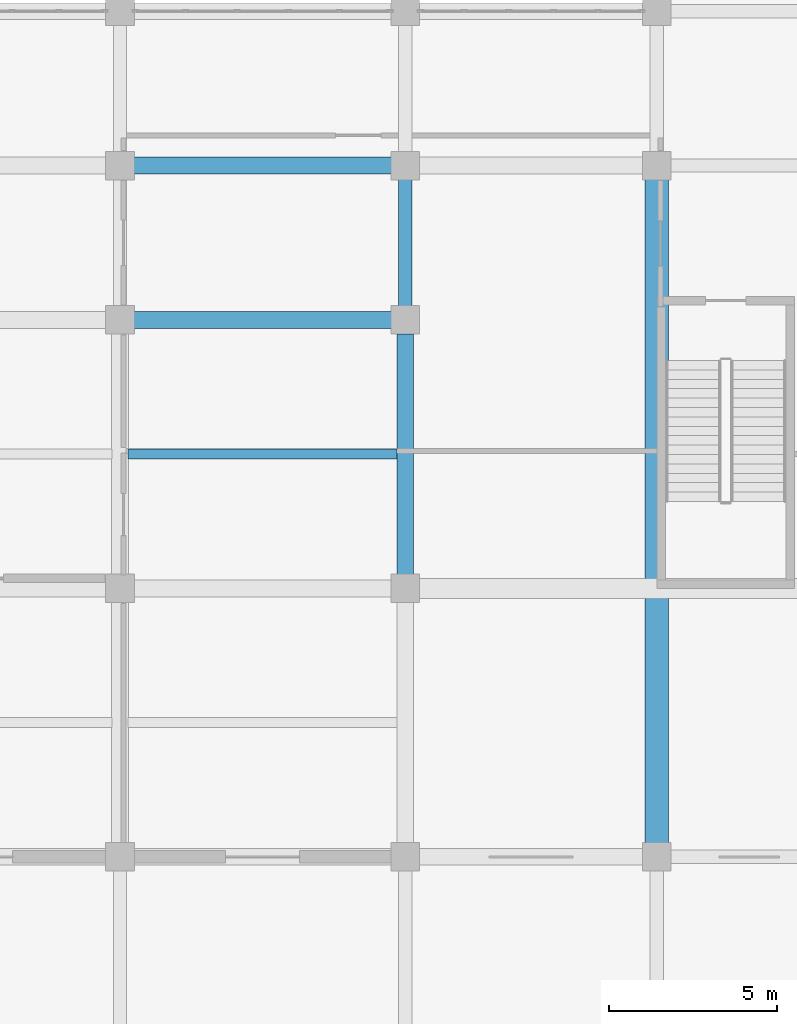
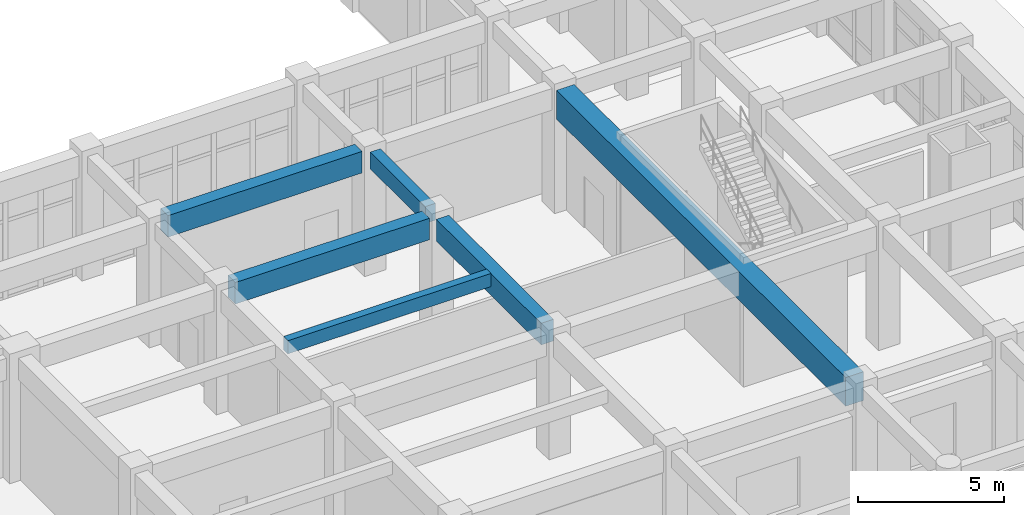
# One storey, part 33 of 84: 6 beams.
"""IFC4 building model written with IfcOpenShell, lengths in metres."""

from ifc_helpers import new_model, si_unit, direction, frame, origin, origin_2d, place, context, subcontext, project, spatial, rectangle, extrude, material, material_profile, profile_set, type_object, element, save


model = new_model("IFC4")

# Units and contexts
model_context = context("Model", 3, precision=1e-05, world=origin(), true_north=direction((0.0, 1.0)))
body_context = subcontext(model_context, "Body", "Model", "MODEL_VIEW")
ifc_project = project(units=[si_unit("LENGTHUNIT", "METRE"), si_unit("AREAUNIT", "SQUARE_METRE"), si_unit("VOLUMEUNIT", "CUBIC_METRE"), si_unit("PLANEANGLEUNIT", "RADIAN"), si_unit("MASSUNIT", "GRAM", prefix="KILO")], contexts=[model_context])

# Site, building, storey
site_placement = place(None, origin())
site = spatial("IfcSite", under=ifc_project, at=site_placement, CompositionType="ELEMENT")
building_placement = place(site_placement, origin())
building = spatial("IfcBuilding", under=site, at=building_placement, Name="Muzn Square Opera House", CompositionType="ELEMENT")
storey_placement = place(building_placement, origin())
storey = spatial("IfcBuildingStorey", under=building, at=storey_placement, Name="L00", CompositionType="ELEMENT", Elevation=0.0)

# Beams
ifc_material = material(Name="Concrete C40/50", Category="concrete")
ifc_material_profile_1 = material_profile(ifc_material, rectangle(XDim=0.300048828125, YDim=0.550048828125, at=origin_2d()), Name="RCJ 300x550", Category="concrete")
ifc_profile_set_1 = profile_set([ifc_material_profile_1], Name="Concrete C40/50")
beam_type_1 = type_object("IfcBeamType", Name="Floor Joist 300x550", PredefinedType="JOIST", material=ifc_profile_set_1)
beam_1_placement = place(storey_placement, frame((141.241943359375, 18.0, 4.844970703125), z_axis=(1.0, 0.0, 0.0), x_axis=(0.0, 1.0, 0.0)))
element("IfcBeam", 1, at=beam_1_placement, inside=storey, type_object=beam_type_1, Name="Floor Joist BM-L00-BM-J550-1412_180_1493_180-1232", PredefinedType="JOIST", context=body_context, shape_type="SweptSolid", body=[
    extrude(rectangle(XDim=0.300048828125, YDim=0.550048828125, at=origin_2d()), origin(), (0.0, 0.0, 1.0), 8.01611328125),
])
ifc_material_profile_2 = material_profile(ifc_material, rectangle(XDim=0.39990234375, YDim=0.699951171875, at=origin_2d()), Name="RCB 400x700", Category="concrete")
ifc_profile_set_2 = profile_set([ifc_material_profile_2], Name="Concrete C40/50")
beam_type_2 = type_object("IfcBeamType", Name="Primary Girder 400x700", PredefinedType="BEAM", material=ifc_profile_set_2)
beam_2_placement = place(storey_placement, frame((149.5, 22.4169921875, 4.77001953125), z_axis=(0.0, 1.0, 0.0), x_axis=(-1.0, 0.0, 0.0)))
element("IfcBeam", 2, at=beam_2_placement, inside=storey, type_object=beam_type_2, Name="Primary Girder BM-L00-BM-PG700-1495_224_1495_262-1133", PredefinedType="BEAM", context=body_context, shape_type="SweptSolid", body=[
    extrude(rectangle(XDim=0.39990234375, YDim=0.699951171875, at=origin_2d()), origin(), (0.0, 0.0, 1.0), 3.76611328125),
])
ifc_material_profile_3 = material_profile(ifc_material, rectangle(XDim=0.5, YDim=0.89990234375, at=origin_2d()), Name="RCB 500x900", Category="concrete")
ifc_profile_set_3 = profile_set([ifc_material_profile_3], Name="Concrete C40/50")
beam_type_3 = type_object("IfcBeamType", Name="Primary Girder 500x900", PredefinedType="BEAM", material=ifc_profile_set_3)
for number, where, z_axis, x_axis, name in (
    (3, (141.4169921875, 22.0, 4.669921875), (1.0, 0.0, 0.0), (0.0, 1.0, 0.0), "Primary Girder BM-L00-BM-PG900-1414_220_1491_220-772"),
    (4, (141.4169921875, 26.60009765625, 4.669921875), (1.0, 0.0, 0.0), (0.0, 1.0, 0.0), "Primary Girder BM-L00-BM-PG900-1414_266_1491_266-785"),
):
    element("IfcBeam", number, at=place(storey_placement, frame(where, z_axis=z_axis, x_axis=x_axis)), inside=storey, type_object=beam_type_3, Name=name, PredefinedType="BEAM", context=body_context, shape_type="SweptSolid", body=[
        extrude(rectangle(XDim=0.5, YDim=0.89990234375, at=origin_2d()), origin(), (0.0, 0.0, 1.0), 7.666015625),
    ])
beam_3_placement = place(storey_placement, frame((149.5, 14.4169921875, 4.669921875), z_axis=(0.0, 1.0, 0.0), x_axis=(-1.0, 0.0, 0.0)))
element("IfcBeam", 5, at=beam_3_placement, inside=storey, type_object=beam_type_3, Name="Primary Girder BM-L00-BM-PG900-1495_144_1495_216-1132", PredefinedType="BEAM", context=body_context, shape_type="SweptSolid", body=[
    extrude(rectangle(XDim=0.5, YDim=0.89990234375, at=origin_2d()), origin(), (0.0, 0.0, 1.0), 7.166015625),
])
ifc_material_profile_4 = material_profile(ifc_material, rectangle(XDim=0.699951171875, YDim=1.199951171875, at=origin_2d()), Name="RCB 700x1200", Category="concrete")
ifc_profile_set_4 = profile_set([ifc_material_profile_4], Name="Concrete C40/50")
beam_type_4 = type_object("IfcBeamType", Name="Primary Girder 700x1200", PredefinedType="BEAM", material=ifc_profile_set_4)
beam_4_placement = place(storey_placement, frame((157.0, 6.4169921875, 4.52001953125), z_axis=(0.0, 1.0, 0.0), x_axis=(-1.0, 0.0, 0.0)))
element("IfcBeam", 6, at=beam_4_placement, inside=storey, type_object=beam_type_4, Name="Primary Girder BM-L00-BM-PG1200-1570_64_1570_262-1140", PredefinedType="BEAM", context=body_context, shape_type="SweptSolid", body=[
    extrude(rectangle(XDim=0.699951171875, YDim=1.199951171875, at=origin_2d()), origin(), (0.0, 0.0, 1.0), 19.76611328125),
])

save(model, "model.ifc")
